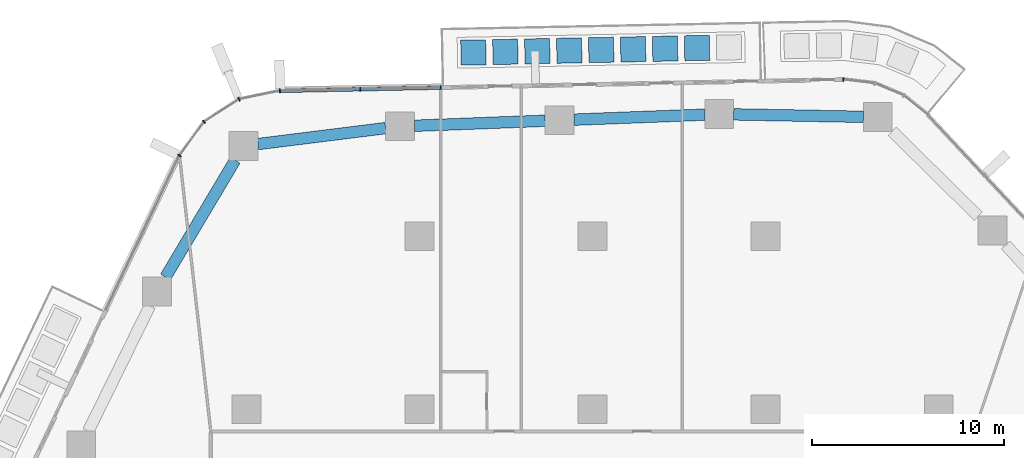
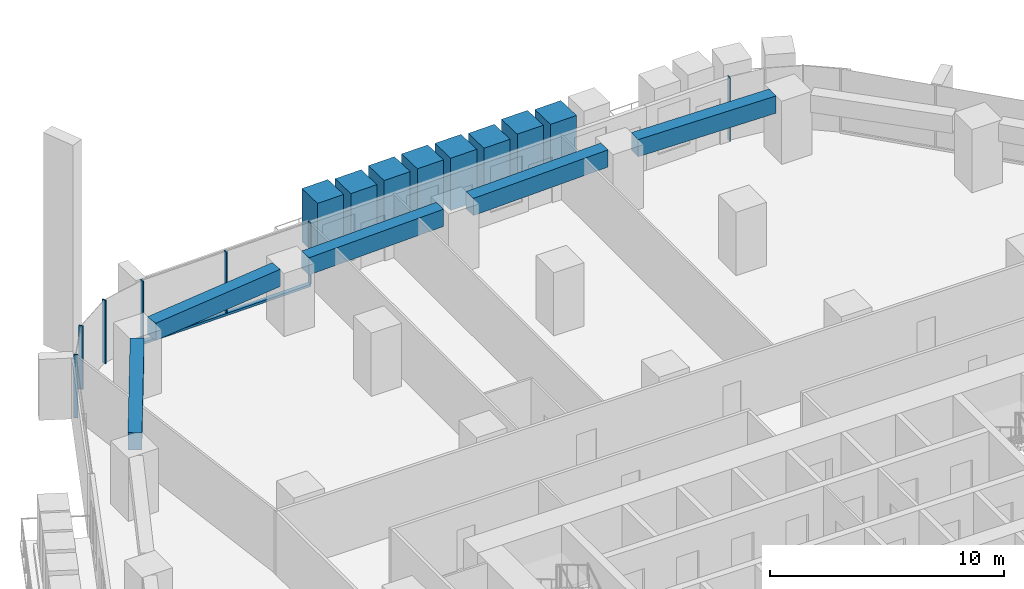
# One storey, part 8 of 24: 16 members, 5 beams, 3 elements without a shape of their own.
"""IFC4 building model written with IfcOpenShell, lengths in metres."""

from ifc_helpers import new_model, si_unit, direction, frame, origin, origin_2d, place, context, subcontext, project, spatial, rectangle, extrude, material, layer, layer_set, material_profile, profile_set, type_object, element, aggregate, save


model = new_model("IFC4")

# Units and contexts
model_context = context("Model", 3, precision=1e-05, world=origin(), true_north=direction((0.0, 1.0)))
body_context = subcontext(model_context, "Body", "Model", "MODEL_VIEW")
ifc_project = project(units=[si_unit("LENGTHUNIT", "METRE"), si_unit("AREAUNIT", "SQUARE_METRE"), si_unit("VOLUMEUNIT", "CUBIC_METRE"), si_unit("PLANEANGLEUNIT", "RADIAN"), si_unit("MASSUNIT", "GRAM", prefix="KILO")], contexts=[model_context])

# Site, building, storey
site_placement = place(None, origin())
site = spatial("IfcSite", under=ifc_project, at=site_placement, CompositionType="ELEMENT")
building_placement = place(site_placement, origin())
building = spatial("IfcBuilding", under=site, at=building_placement, Name="Dongbaek Canopy Tower", CompositionType="ELEMENT")
storey_placement = place(building_placement, frame((0.0, 0.0, 44.0)))
storey = spatial("IfcBuildingStorey", under=building, at=storey_placement, Name="L06", CompositionType="ELEMENT", Elevation=44.0)

# Curtain wall, member
ifc_material_1 = material(Name="Aluminium 6063-T6 pale anodised", Category="aluminium")
ifc_layer = layer(ifc_material_1, 0.199951171875)
ifc_layer_set = layer_set([ifc_layer], Name="CW-1 unitised tower curtain wall")
curtain_wall_type = type_object("IfcCurtainWallType", Name="CW-1 unitised tower curtain wall", PredefinedType="NOTDEFINED", material=ifc_layer_set)
curtain_wall_1_placement = place(storey_placement, origin())
curtain_wall_1 = element("IfcCurtainWall", 1, at=curtain_wall_1_placement, inside=storey, type_object=curtain_wall_type, Name="CW-1 curtain wall K1.1", PredefinedType="NOTDEFINED")
ifc_material_2 = material(Name="Aluminium 6063-T6 pale anodised", Category="aluminium")
ifc_material_profile_1 = material_profile(ifc_material_2, rectangle(XDim=0.199951171875, YDim=0.06005859375, at=origin_2d()), Name="CW-1 mullion 60 x 200")
ifc_profile_set_1 = profile_set([ifc_material_profile_1], Name="Aluminium 6063-T6 pale anodised")
member_type_1 = type_object("IfcMemberType", Name="CW-1 mullion 60 x 200", PredefinedType="MULLION", material=ifc_profile_set_1)
member_1_placement = place(storey_placement, frame((13.0419921875, 35.14599609375, 0.0), z_axis=(0.0, 0.0, 1.0), x_axis=(0.119342231926, 0.992853177302, 0.0)))
member_1 = element("IfcMember", 2, at=member_1_placement, type_object=member_type_1, Name="CW-1 mullion K1.1.4", PredefinedType="MULLION", context=body_context, shape_type="SweptSolid", body=[
    extrude(rectangle(XDim=0.199951171875, YDim=0.06005859375, at=origin_2d()), origin(), (0.0, 0.0, 1.0), 3.300048828125),
])
aggregate(curtain_wall_1, [member_1])

# Curtain wall, members
curtain_wall_2_placement = place(storey_placement, origin())
curtain_wall_2 = element("IfcCurtainWall", 3, at=curtain_wall_2_placement, inside=storey, type_object=curtain_wall_type, Name="CW-1 curtain wall F1.1", PredefinedType="NOTDEFINED")
member_2_placement = place(storey_placement, frame((-7.8876953125, 34.72900390625, 0.1201171875), z_axis=(0.0, 0.0, 1.0), x_axis=(-0.019925757664, 0.999801462382, 0.0)))
member_2 = element("IfcMember", 4, at=member_2_placement, type_object=member_type_1, Name="CW-1 mullion F1.1.1", PredefinedType="MULLION", context=body_context, shape_type="SweptSolid", body=[
    extrude(rectangle(XDim=0.199951171875, YDim=0.06005859375, at=origin_2d()), origin(), (0.0, 0.0, 1.0), 3.179931640625),
])
member_3_placement = place(storey_placement, frame((-12.074951171875, 34.6455078125, 0.1201171875), z_axis=(0.0, 0.0, 1.0), x_axis=(-0.019925757664, 0.999801462382, 0.0)))
member_3 = element("IfcMember", 5, at=member_3_placement, type_object=member_type_1, Name="CW-1 mullion F1.1.2", PredefinedType="MULLION", context=body_context, shape_type="SweptSolid", body=[
    extrude(rectangle(XDim=0.199951171875, YDim=0.06005859375, at=origin_2d()), origin(), (0.0, 0.0, 1.0), 3.179931640625),
])
member_4_placement = place(storey_placement, frame((-16.2529296875, 34.562255859375, 0.1201171875), z_axis=(0.0, 0.0, 1.0), x_axis=(-0.019925757664, 0.999801462382, 0.0)))
member_4 = element("IfcMember", 6, at=member_4_placement, type_object=member_type_1, Name="CW-1 mullion F1.1.3", PredefinedType="MULLION", context=body_context, shape_type="SweptSolid", body=[
    extrude(rectangle(XDim=0.199951171875, YDim=0.06005859375, at=origin_2d()), origin(), (0.0, 0.0, 1.0), 3.179931640625),
])

curtain_wall_3_placement = place(storey_placement, origin())
curtain_wall_3 = element("IfcCurtainWall", 7, at=curtain_wall_3_placement, inside=storey, type_object=curtain_wall_type, Name="CW-1 curtain wall K2.1", PredefinedType="NOTDEFINED")
member_5_placement = place(storey_placement, frame((-18.380615234375, 34.121337890625, 0.0), z_axis=(0.0, 0.0, 1.0), x_axis=(-0.379075212313, 0.925365864623, 0.0)))
member_5 = element("IfcMember", 8, at=member_5_placement, type_object=member_type_1, Name="CW-1 mullion K2.1.2", PredefinedType="MULLION", context=body_context, shape_type="SweptSolid", body=[
    extrude(rectangle(XDim=0.199951171875, YDim=0.06005859375, at=origin_2d()), origin(), (0.0, 0.0, 1.0), 3.300048828125),
])
member_6_placement = place(storey_placement, frame((-20.1982421875, 32.947998046875, 0.0), z_axis=(0.0, 0.0, 1.0), x_axis=(-0.687228061912, 0.72644173264, 0.0)))
member_6 = element("IfcMember", 9, at=member_6_placement, type_object=member_type_1, Name="CW-1 mullion K2.1.3", PredefinedType="MULLION", context=body_context, shape_type="SweptSolid", body=[
    extrude(rectangle(XDim=0.199951171875, YDim=0.06005859375, at=origin_2d()), origin(), (0.0, 0.0, 1.0), 3.300048828125),
])
member_7_placement = place(storey_placement, frame((-21.47607421875, 31.190673828125, 0.0), z_axis=(0.0, 0.0, 1.0), x_axis=(-0.808795565583, 0.58808990222, 0.0)))
member_7 = element("IfcMember", 10, at=member_7_placement, type_object=member_type_1, Name="CW-1 mullion K2.1.4", PredefinedType="MULLION", context=body_context, shape_type="SweptSolid", body=[
    extrude(rectangle(XDim=0.199951171875, YDim=0.06005859375, at=origin_2d()), origin(), (0.0, 0.0, 1.0), 3.300048828125),
])
aggregate(curtain_wall_3, [member_5, member_6, member_7])

# Member
ifc_material_3 = material(Name="Aluminium 6063-T6 pale anodised", Category="aluminium")
ifc_material_profile_2 = material_profile(ifc_material_3, rectangle(XDim=0.199951171875, YDim=0.1201171875, at=origin_2d()), Name="CW-1 transom 120 x 200")
ifc_profile_set_2 = profile_set([ifc_material_profile_2], Name="Aluminium 6063-T6 pale anodised")
member_type_2 = type_object("IfcMemberType", Name="CW-1 transom 120 x 200", PredefinedType="USERDEFINED", material=ifc_profile_set_2)
member_8_placement = place(storey_placement, frame((-7.8876953125, 34.72900390625, 0.06005859375), z_axis=(-0.999801387815, -0.019929498829, 0.0), x_axis=(0.019929498829, -0.999801387815, 0.0)))
member_8 = element("IfcMember", 11, at=member_8_placement, type_object=member_type_2, Name="CW-1 transom F1.1.1", ObjectType="TRANSOM", PredefinedType="USERDEFINED", context=body_context, shape_type="SweptSolid", body=[
    extrude(rectangle(XDim=0.199951171875, YDim=0.1201171875, at=origin_2d()), origin(), (0.0, 0.0, 1.0), 8.366943359375),
])

aggregate(curtain_wall_2, [member_2, member_3, member_4, member_8])

# Beams
ifc_material_4 = material(Name="Concrete C80", Category="concrete")
ifc_material_profile_3 = material_profile(ifc_material_4, rectangle(XDim=0.60009765625, YDim=0.89990234375, at=origin_2d()), Name="RC EDGE BEAM 600x900 C80")
ifc_profile_set_3 = profile_set([ifc_material_profile_3], Name="Concrete C80")
beam_type = type_object("IfcBeamType", Name="RC EDGE BEAM 600x900 C80", PredefinedType="BEAM", material=ifc_profile_set_3)
beam_1_placement = place(storey_placement, frame((-22.201416015625, 24.875, 2.85009765625), z_axis=(0.511536684445, 0.859261438951, 0.0), x_axis=(-0.859261438951, 0.511536684445, 0.0)))
element("IfcBeam", 12, at=beam_1_placement, inside=storey, type_object=beam_type, Name="EDGEBEAM:L06:12", PredefinedType="BEAM", context=body_context, shape_type="SweptSolid", body=[
    extrude(rectangle(XDim=0.60009765625, YDim=0.89990234375, at=origin_2d()), origin(), (0.0, 0.0, 1.0), 7.06884765625),
])
beam_2_placement = place(storey_placement, frame((-17.388916015625, 31.79248046875, 2.85009765625), z_axis=(0.992300337098, 0.123854919137, 0.0), x_axis=(-0.123854919137, 0.992300337098, 0.0)))
element("IfcBeam", 13, at=beam_2_placement, inside=storey, type_object=beam_type, Name="EDGEBEAM:L06:13", PredefinedType="BEAM", context=body_context, shape_type="SweptSolid", body=[
    extrude(rectangle(XDim=0.60009765625, YDim=0.89990234375, at=origin_2d()), origin(), (0.0, 0.0, 1.0), 6.684326171875),
])
beam_3_placement = place(storey_placement, frame((-9.256103515625, 32.74267578125, 2.85009765625), z_axis=(0.999265250645, 0.038326999019, 0.0), x_axis=(-0.038326999019, 0.999265250645, 0.0)))
element("IfcBeam", 14, at=beam_3_placement, inside=storey, type_object=beam_type, Name="EDGEBEAM:L06:14", PredefinedType="BEAM", context=body_context, shape_type="SweptSolid", body=[
    extrude(rectangle(XDim=0.60009765625, YDim=0.89990234375, at=origin_2d()), origin(), (0.0, 0.0, 1.0), 6.802978515625),
])
beam_4_placement = place(storey_placement, frame((-0.9580078125, 33.060791015625, 2.85009765625), z_axis=(0.99927189778, 0.038153300073, 0.0), x_axis=(-0.038153300073, 0.99927189778, 0.0)))
element("IfcBeam", 15, at=beam_4_placement, inside=storey, type_object=beam_type, Name="EDGEBEAM:L06:15", PredefinedType="BEAM", context=body_context, shape_type="SweptSolid", body=[
    extrude(rectangle(XDim=0.60009765625, YDim=0.89990234375, at=origin_2d()), origin(), (0.0, 0.0, 1.0), 6.802001953125),
])
beam_5_placement = place(storey_placement, frame((7.339111328125, 33.3349609375, 2.85009765625), z_axis=(0.999822704828, -0.018829734762, 0.0), x_axis=(0.018829734762, 0.999822704828, 0.0)))
element("IfcBeam", 16, at=beam_5_placement, inside=storey, type_object=beam_type, Name="EDGEBEAM:L06:16", PredefinedType="BEAM", context=body_context, shape_type="SweptSolid", body=[
    extrude(rectangle(XDim=0.60009765625, YDim=0.89990234375, at=origin_2d()), origin(), (0.0, 0.0, 1.0), 6.7421875),
])

# Members
ifc_material_5 = material(Name="Concrete C40/50 planter mass with planting", Category="concrete")
ifc_material_profile_4 = material_profile(ifc_material_5, rectangle(XDim=1.300048828125, YDim=1.300048828125, at=origin_2d()), Name="Terrace PLANTER shrub mass 1300 x 1300")
ifc_profile_set_4 = profile_set([ifc_material_profile_4], Name="Concrete C40/50 planter mass with planting")
member_type_3 = type_object("IfcMemberType", Name="Terrace PLANTER shrub mass 1300 x 1300", PredefinedType="USERDEFINED", material=ifc_profile_set_4)
member_9_placement = place(storey_placement, frame((5.4345703125, 36.784912109375, 0.419921875), z_axis=(0.0, 0.0, 1.0), x_axis=(-0.019925757664, 0.999801462382, 0.0)))
element("IfcMember", 17, at=member_9_placement, inside=storey, type_object=member_type_3, Name="Planter shrubs L06 1.2", ObjectType="PLANTER", PredefinedType="USERDEFINED", context=body_context, shape_type="SweptSolid", body=[
    extrude(rectangle(XDim=1.300048828125, YDim=1.300048828125, at=origin_2d()), origin(), (0.0, 0.0, 1.0), 2.690185546875),
])
member_10_placement = place(storey_placement, frame((3.7734375, 36.751708984375, 0.419921875), z_axis=(0.0, 0.0, 1.0), x_axis=(-0.019925757664, 0.999801462382, 0.0)))
element("IfcMember", 18, at=member_10_placement, inside=storey, type_object=member_type_3, Name="Planter shrubs L06 1.3", ObjectType="PLANTER", PredefinedType="USERDEFINED", context=body_context, shape_type="SweptSolid", body=[
    extrude(rectangle(XDim=1.300048828125, YDim=1.300048828125, at=origin_2d()), origin(), (0.0, 0.0, 1.0), 2.780029296875),
])
member_11_placement = place(storey_placement, frame((2.112548828125, 36.718505859375, 0.419921875), z_axis=(0.0, 0.0, 1.0), x_axis=(-0.019925757664, 0.999801462382, 0.0)))
element("IfcMember", 19, at=member_11_placement, inside=storey, type_object=member_type_3, Name="Planter shrubs L06 1.4", ObjectType="PLANTER", PredefinedType="USERDEFINED", context=body_context, shape_type="SweptSolid", body=[
    extrude(rectangle(XDim=1.300048828125, YDim=1.300048828125, at=origin_2d()), origin(), (0.0, 0.0, 1.0), 2.650146484375),
])
member_12_placement = place(storey_placement, frame((0.451416015625, 36.685546875, 0.419921875), z_axis=(0.0, 0.0, 1.0), x_axis=(-0.019925757664, 0.999801462382, 0.0)))
element("IfcMember", 20, at=member_12_placement, inside=storey, type_object=member_type_3, Name="Planter shrubs L06 1.5", ObjectType="PLANTER", PredefinedType="USERDEFINED", context=body_context, shape_type="SweptSolid", body=[
    extrude(rectangle(XDim=1.300048828125, YDim=1.300048828125, at=origin_2d()), origin(), (0.0, 0.0, 1.0), 2.72998046875),
])
member_13_placement = place(storey_placement, frame((-1.209716796875, 36.65234375, 0.419921875), z_axis=(0.0, 0.0, 1.0), x_axis=(-0.019925757664, 0.999801462382, 0.0)))
element("IfcMember", 21, at=member_13_placement, inside=storey, type_object=member_type_3, Name="Planter shrubs L06 1.6", ObjectType="PLANTER", PredefinedType="USERDEFINED", context=body_context, shape_type="SweptSolid", body=[
    extrude(rectangle(XDim=1.300048828125, YDim=1.300048828125, at=origin_2d()), origin(), (0.0, 0.0, 1.0), 2.780029296875),
])
member_14_placement = place(storey_placement, frame((-2.870849609375, 36.619384765625, 0.419921875), z_axis=(0.0, 0.0, 1.0), x_axis=(-0.019925757664, 0.999801462382, 0.0)))
element("IfcMember", 22, at=member_14_placement, inside=storey, type_object=member_type_3, Name="Planter shrubs L06 1.7", ObjectType="PLANTER", PredefinedType="USERDEFINED", context=body_context, shape_type="SweptSolid", body=[
    extrude(rectangle(XDim=1.300048828125, YDim=1.300048828125, at=origin_2d()), origin(), (0.0, 0.0, 1.0), 2.77001953125),
])
member_15_placement = place(storey_placement, frame((-4.531982421875, 36.586181640625, 0.419921875), z_axis=(0.0, 0.0, 1.0), x_axis=(-0.019925757664, 0.999801462382, 0.0)))
element("IfcMember", 23, at=member_15_placement, inside=storey, type_object=member_type_3, Name="Planter shrubs L06 1.8", ObjectType="PLANTER", PredefinedType="USERDEFINED", context=body_context, shape_type="SweptSolid", body=[
    extrude(rectangle(XDim=1.300048828125, YDim=1.300048828125, at=origin_2d()), origin(), (0.0, 0.0, 1.0), 2.690185546875),
])
member_16_placement = place(storey_placement, frame((-6.19287109375, 36.552978515625, 0.419921875), z_axis=(0.0, 0.0, 1.0), x_axis=(-0.019925757664, 0.999801462382, 0.0)))
element("IfcMember", 24, at=member_16_placement, inside=storey, type_object=member_type_3, Name="Planter shrubs L06 1.9", ObjectType="PLANTER", PredefinedType="USERDEFINED", context=body_context, shape_type="SweptSolid", body=[
    extrude(rectangle(XDim=1.300048828125, YDim=1.300048828125, at=origin_2d()), origin(), (0.0, 0.0, 1.0), 2.780029296875),
])

save(model, "model.ifc")
